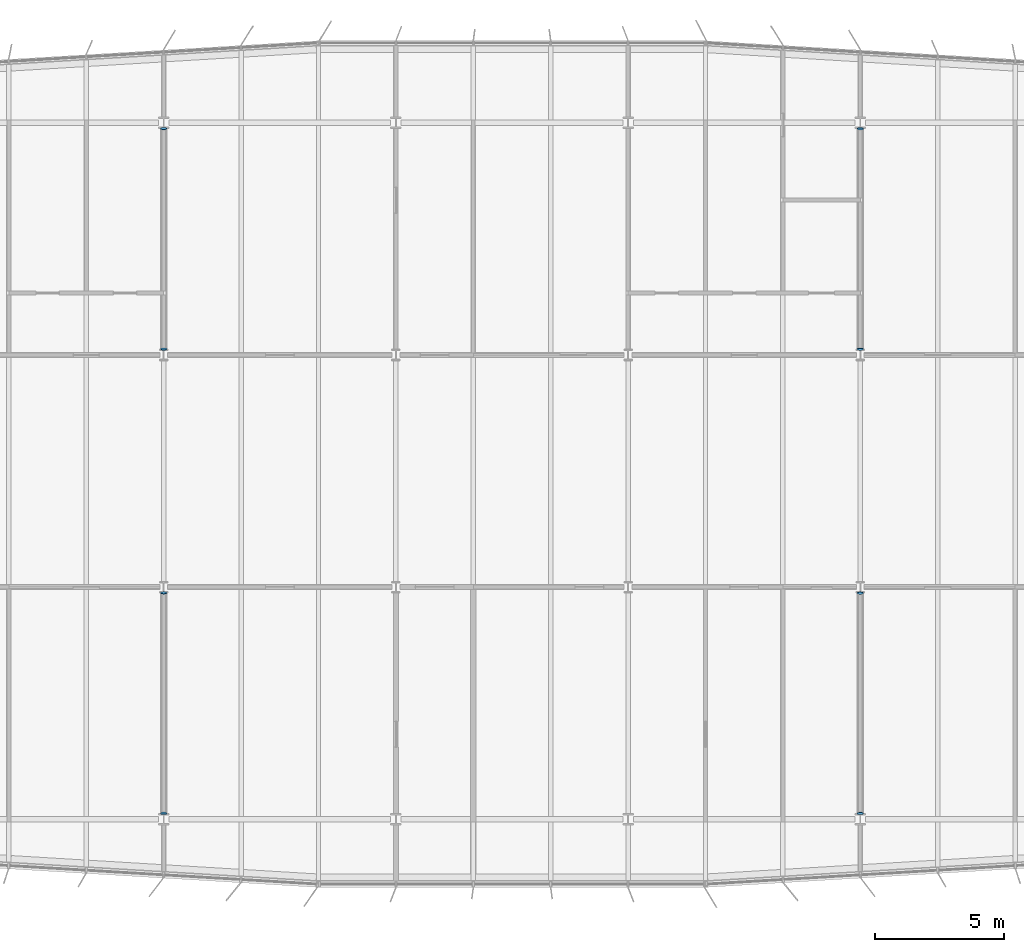
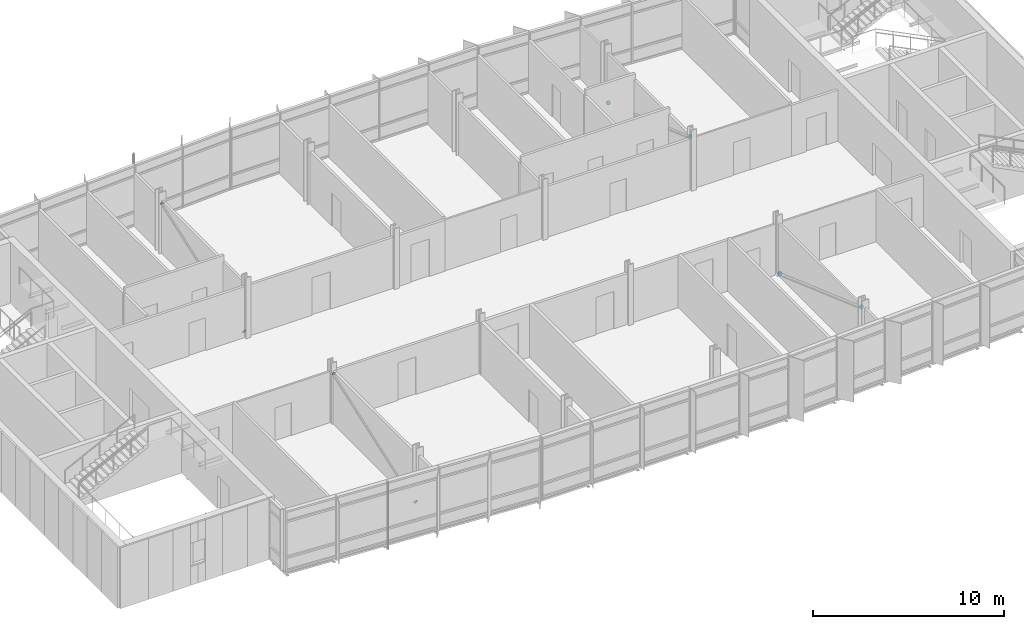
# One storey, part 15 of 18: 8 discrete accessories.
"""IFC4 building model written with IfcOpenShell, lengths in metres."""

from ifc_helpers import new_model, si_unit, direction, frame, origin, origin_2d, place, context, subcontext, project, spatial, circle, extrude, material, material_profile, profile_set, type_object, element, save


model = new_model("IFC4")

# Units and contexts
model_context = context("Model", 3, precision=1e-05, world=origin(), true_north=direction((0.0, 1.0)))
body_context = subcontext(model_context, "Body", "Model", "MODEL_VIEW")
ifc_project = project(units=[si_unit("LENGTHUNIT", "METRE"), si_unit("AREAUNIT", "SQUARE_METRE"), si_unit("VOLUMEUNIT", "CUBIC_METRE"), si_unit("PLANEANGLEUNIT", "RADIAN"), si_unit("MASSUNIT", "GRAM", prefix="KILO")], contexts=[model_context])

# Site, building, storey
site_placement = place(None, origin())
site = spatial("IfcSite", under=ifc_project, at=site_placement, CompositionType="ELEMENT")
building_placement = place(site_placement, origin())
building = spatial("IfcBuilding", under=site, at=building_placement, Name="Azimuth Sports and Learning Centre", CompositionType="ELEMENT")
storey_placement = place(building_placement, frame((0.0, 0.0, 63.60009765625)))
storey = spatial("IfcBuildingStorey", under=building, at=storey_placement, Name="L14", CompositionType="ELEMENT", Elevation=63.60009765625)

# Discrete accessories
ifc_material = material(Name="Steel S355", Category="steel")
ifc_material_profile = material_profile(ifc_material, circle(Radius=0.122314453125, at=origin_2d()), Name="PL 244 DISC")
ifc_profile_set = profile_set([ifc_material_profile], Name="Steel S355")
discrete_accessory_type = type_object("IfcDiscreteAccessoryType", Name="End plate CHS 244.5x12.5", PredefinedType="USERDEFINED", material=ifc_profile_set)
discrete_accessory_1_placement = place(storey_placement, frame((72.0, 90.238525390625, 0.169677734375), z_axis=(0.0, -0.939793423488, -0.341743063087), x_axis=(1.0, 0.0, 0.0)))
element("IfcDiscreteAccessory", 1, at=discrete_accessory_1_placement, inside=storey, type_object=discrete_accessory_type, Name="End plate Tower brace 9 L14 lower end", ObjectType="END PLATE", PredefinedType="USERDEFINED", context=body_context, shape_type="SweptSolid", body=[
    extrude(circle(Radius=0.122314453125, at=origin_2d()), origin(), (0.0, 0.0, 1.0), 0.02001953125),
])
for number, where, z_axis, x_axis, name in (
    (2, (72.0, 98.762939453125, 3.2001953125), (0.0, 0.94498607344, 0.327110563883), (-1.0, 0.0, 0.0), "End plate Tower brace 9 L14 upper end"),
    (3, (72.0, 108.237060546875, 0.169677734375), (0.0, -0.941194670762, -0.337864753607), (1.0, 0.0, 0.0), "End plate Tower brace 9 L14 lower end"),
):
    element("IfcDiscreteAccessory", number, at=place(storey_placement, frame(where, z_axis=z_axis, x_axis=x_axis)), inside=storey, type_object=discrete_accessory_type, Name=name, ObjectType="END PLATE", PredefinedType="USERDEFINED", context=body_context, shape_type="SweptSolid", body=[
        extrude(circle(Radius=0.122314453125, at=origin_2d()), origin(), (0.0, 0.0, 1.0), 0.020263671875),
    ])
discrete_accessory_2_placement = place(storey_placement, frame((72.0, 116.761474609375, 3.2001953125), z_axis=(0.0, 0.943667134088, 0.330896267797), x_axis=(-1.0, 0.0, 0.0)))
element("IfcDiscreteAccessory", 4, at=discrete_accessory_2_placement, inside=storey, type_object=discrete_accessory_type, Name="End plate Tower brace 9 L14 upper end", ObjectType="END PLATE", PredefinedType="USERDEFINED", context=body_context, shape_type="SweptSolid", body=[
    extrude(circle(Radius=0.122314453125, at=origin_2d()), origin(), (0.0, 0.0, 1.0), 0.02001953125),
])
discrete_accessory_3_placement = place(storey_placement, frame((99.0, 98.762939453125, 0.169677734375), z_axis=(0.0, 0.941194670762, -0.337864753607), x_axis=(-1.0, 0.0, 0.0)))
element("IfcDiscreteAccessory", 5, at=discrete_accessory_3_placement, inside=storey, type_object=discrete_accessory_type, Name="End plate Tower brace 12 L14 lower end", ObjectType="END PLATE", PredefinedType="USERDEFINED", context=body_context, shape_type="SweptSolid", body=[
    extrude(circle(Radius=0.122314453125, at=origin_2d()), origin(), (0.0, 0.0, 1.0), 0.020263671875),
])
for number, where, z_axis, x_axis, name in (
    (6, (99.0, 90.238525390625, 3.2001953125), (0.0, -0.943667134088, 0.330896267797), (1.0, 0.0, 0.0), "End plate Tower brace 12 L14 upper end"),
    (7, (99.0, 116.761474609375, 0.169677734375), (0.0, 0.939793423488, -0.341743063087), (-1.0, 0.0, 0.0), "End plate Tower brace 12 L14 lower end"),
):
    element("IfcDiscreteAccessory", number, at=place(storey_placement, frame(where, z_axis=z_axis, x_axis=x_axis)), inside=storey, type_object=discrete_accessory_type, Name=name, ObjectType="END PLATE", PredefinedType="USERDEFINED", context=body_context, shape_type="SweptSolid", body=[
        extrude(circle(Radius=0.122314453125, at=origin_2d()), origin(), (0.0, 0.0, 1.0), 0.02001953125),
    ])
discrete_accessory_4_placement = place(storey_placement, frame((99.0, 108.237060546875, 3.2001953125), z_axis=(0.0, -0.94498607344, 0.327110563883), x_axis=(1.0, 0.0, 0.0)))
element("IfcDiscreteAccessory", 8, at=discrete_accessory_4_placement, inside=storey, type_object=discrete_accessory_type, Name="End plate Tower brace 12 L14 upper end", ObjectType="END PLATE", PredefinedType="USERDEFINED", context=body_context, shape_type="SweptSolid", body=[
    extrude(circle(Radius=0.122314453125, at=origin_2d()), origin(), (0.0, 0.0, 1.0), 0.020263671875),
])

save(model, "model.ifc")
